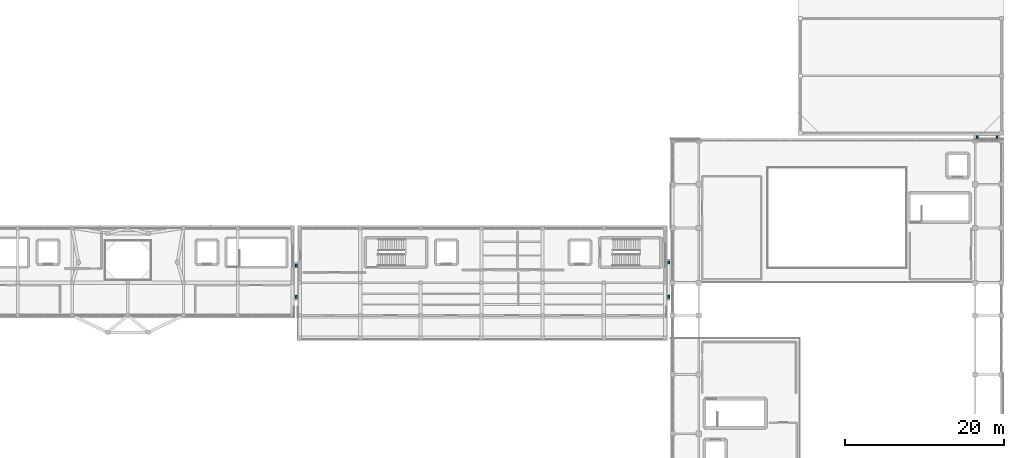
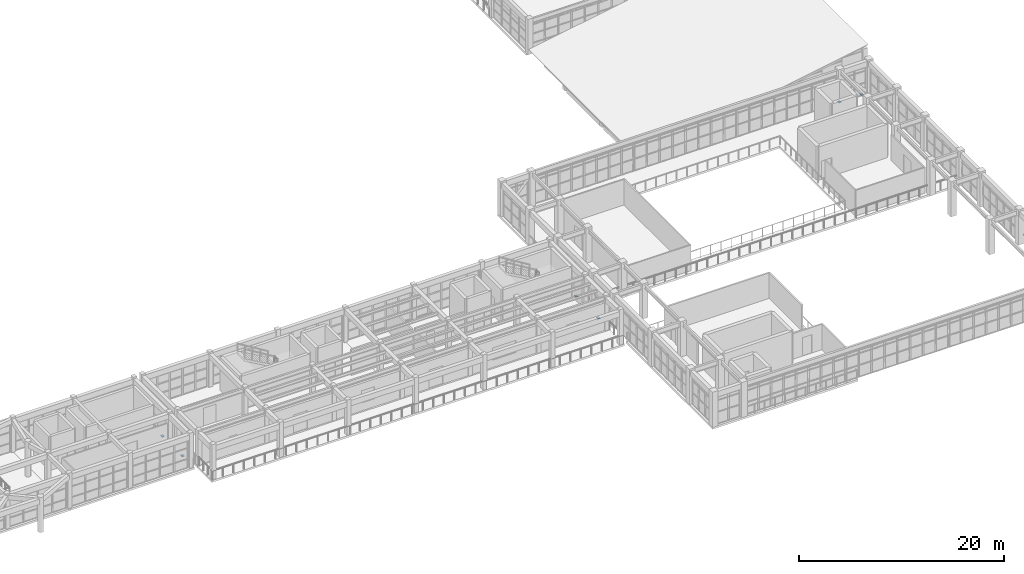
# One storey, part 59 of 66: 6 discrete accessories.
"""IFC4 building model written with IfcOpenShell, lengths in metres."""

from ifc_helpers import new_model, si_unit, direction, frame, origin, origin_2d, place, context, subcontext, project, spatial, rectangle, extrude, material, type_object, element, save


model = new_model("IFC4")

# Units and contexts
model_context = context("Model", 3, precision=1e-05, world=origin(), true_north=direction((0.0, 1.0)))
body_context = subcontext(model_context, "Body", "Model", "MODEL_VIEW")
ifc_project = project(units=[si_unit("LENGTHUNIT", "METRE"), si_unit("AREAUNIT", "SQUARE_METRE"), si_unit("VOLUMEUNIT", "CUBIC_METRE"), si_unit("PLANEANGLEUNIT", "RADIAN"), si_unit("MASSUNIT", "GRAM", prefix="KILO")], contexts=[model_context])

# Site, building, storey
site_placement = place(None, origin())
site = spatial("IfcSite", under=ifc_project, at=site_placement, CompositionType="ELEMENT")
building_placement = place(site_placement, origin())
building = spatial("IfcBuilding", under=site, at=building_placement, Name="Candilejo Ridge Gondola Terminal", CompositionType="ELEMENT")
storey_placement = place(building_placement, frame((0.0, 0.0, 14.39990234375)))
storey = spatial("IfcBuildingStorey", under=building, at=storey_placement, Name="L03", CompositionType="ELEMENT", Elevation=14.39990234375)

# Discrete accessories
ifc_material = material(Name="Steel ASTM A572 Grade 50", Category="steel")
discrete_accessory_type = type_object("IfcDiscreteAccessoryType", Name="STR-PTFE-SLIDING-BEARING", PredefinedType="BRACKET", material=ifc_material)
for number, where, name in (
    (1, (86.52490234375, 28.050048828125, -0.27978515625), "PTFE sliding bridge bearing BRK-LB-SJ2-L03-1"),
    (2, (86.52490234375, 31.949951171875, -0.27978515625), "PTFE sliding bridge bearing BRK-LB-SJ2-L03-2"),
    (3, (133.425048828125, 28.050048828125, -0.27978515625), "PTFE sliding bridge bearing BRK-LB-SJ3-L03-1"),
    (4, (133.425048828125, 32.35009765625, -0.27978515625), "PTFE sliding bridge bearing BRK-LB-SJ3-L03-2"),
    (5, (172.25, 48.175048828125, -0.27978515625), "PTFE sliding bridge bearing BRK-LB-SJ4-L03-1"),
    (6, (174.75, 48.175048828125, -0.27978515625), "PTFE sliding bridge bearing BRK-LB-SJ4-L03-2"),
):
    element("IfcDiscreteAccessory", number, at=place(storey_placement, frame(where)), inside=storey, type_object=discrete_accessory_type, Name=name, PredefinedType="BRACKET", context=body_context, shape_type="SweptSolid", body=[
        extrude(rectangle(XDim=0.25, YDim=0.320068359375, at=origin_2d()), origin(), (0.0, 0.0, 1.0), 0.06005859375),
    ])

save(model, "model.ifc")
